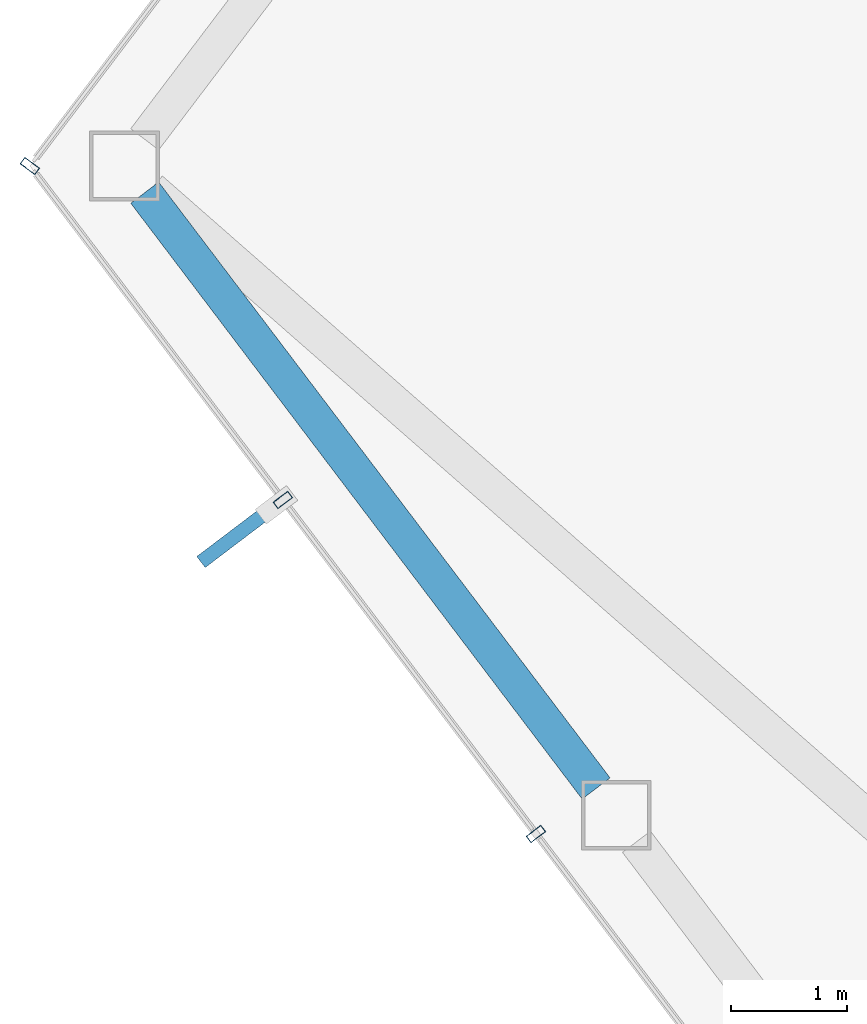
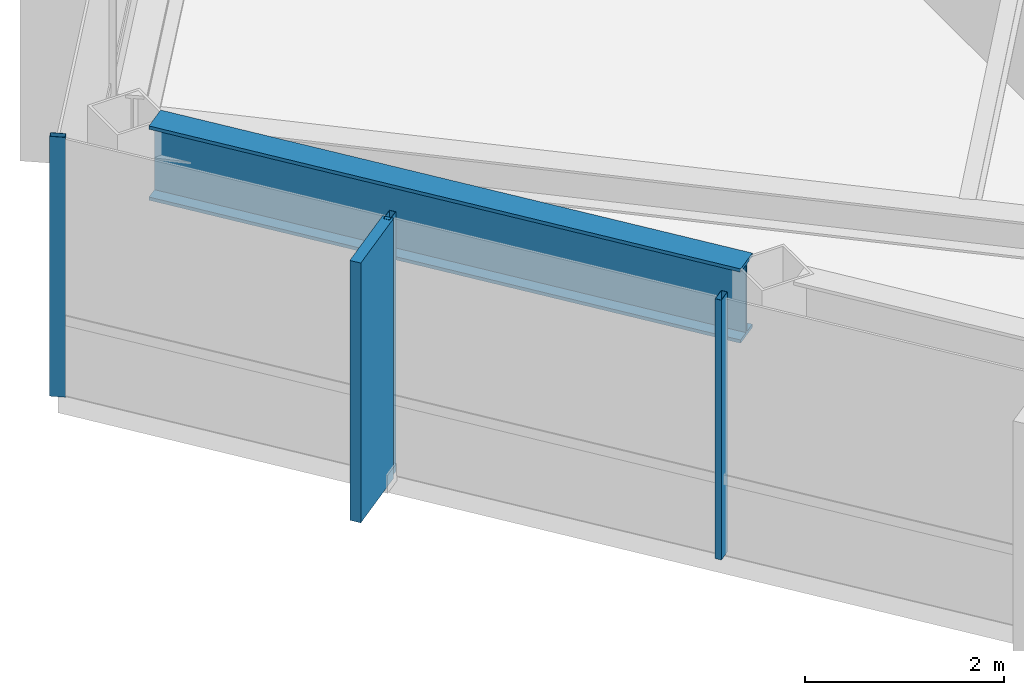
# One storey, part 8 of 25: 4 members, 1 beam, 2 elements without a shape of their own.
"""IFC4 building model written with IfcOpenShell, lengths in metres."""

from ifc_helpers import new_model, si_unit, direction, frame, origin, origin_2d, place, context, subcontext, project, spatial, rectangle, hollow_rectangle, i_section, extrude, material, layer, layer_set, material_profile, profile_set, type_object, element, aggregate, save


model = new_model("IFC4")

# Units and contexts
model_context = context("Model", 3, precision=1e-05, world=origin(), true_north=direction((0.0, 1.0)))
body_context = subcontext(model_context, "Body", "Model", "MODEL_VIEW")
ifc_project = project(units=[si_unit("LENGTHUNIT", "METRE"), si_unit("AREAUNIT", "SQUARE_METRE"), si_unit("VOLUMEUNIT", "CUBIC_METRE"), si_unit("PLANEANGLEUNIT", "RADIAN"), si_unit("MASSUNIT", "GRAM", prefix="KILO")], contexts=[model_context])

# Site, building, storey
site_placement = place(None, origin())
site = spatial("IfcSite", under=ifc_project, at=site_placement, CompositionType="ELEMENT")
building_placement = place(site_placement, origin())
building = spatial("IfcBuilding", under=site, at=building_placement, Name="Zarrinselat Tower", CompositionType="ELEMENT")
storey_placement = place(building_placement, frame((0.0, 0.0, 242.760009765625)))
storey = spatial("IfcBuildingStorey", under=building, at=storey_placement, Name="L61", CompositionType="ELEMENT", Elevation=242.760009765625)

# Beam
ifc_material_1 = material(Name="Steel S460M", Category="steel")
ifc_material_profile_1 = material_profile(ifc_material_1, i_section(OverallWidth=0.302001953125, OverallDepth=0.909912109375, WebThickness=0.02099609375, FlangeThickness=0.0400390625, at=origin_2d()), Name="HEM 900")
ifc_profile_set_1 = profile_set([ifc_material_profile_1], Name="Steel S460M")
beam_type = type_object("IfcBeamType", Name="BM-HEM900", PredefinedType="BEAM", material=ifc_profile_set_1)
beam_placement = place(storey_placement, frame((16.4970703125, 41.34619140625, 2.72509765625), z_axis=(0.603870099969, -0.797082744992, 0.0), x_axis=(0.797082744992, 0.603870099969, 0.0)))
element("IfcBeam", 1, at=beam_placement, inside=storey, type_object=beam_type, Name="L61 Perimeter Spandrel Girder SP06", PredefinedType="BEAM", context=body_context, shape_type="SweptSolid", body=[
    extrude(i_section(OverallWidth=0.302001953125, OverallDepth=0.909912109375, WebThickness=0.02099609375, FlangeThickness=0.0400390625, at=origin_2d()), origin(), (0.0, 0.0, 1.0), 6.43798828125),
])

# Curtain wall, member
ifc_material_2 = material(Name="Extruded Aluminium Alloy EN AW-6063 T6", Category="aluminium")
ifc_layer = layer(ifc_material_2, 0.169921875)
ifc_layer_set = layer_set([ifc_layer], Name="Extruded Aluminium Alloy EN AW-6063 T6")
curtain_wall_type = type_object("IfcCurtainWallType", Name="CWS-RES", PredefinedType="NOTDEFINED", material=ifc_layer_set)
curtain_wall_1_placement = place(storey_placement, origin())
curtain_wall_1 = element("IfcCurtainWall", 2, at=curtain_wall_1_placement, inside=storey, type_object=curtain_wall_type, Name="L61 Unitised Curtain Wall CW-L61-E02", PredefinedType="NOTDEFINED")
ifc_material_3 = material(Name="Extruded Aluminium Alloy EN AW-6063 T6", Category="aluminium")
ifc_material_profile_2 = material_profile(ifc_material_3, hollow_rectangle(XDim=0.070068359375, YDim=0.159912109375, WallThickness=0.00390625, at=origin_2d()), Name="RHS 160x70x4")
ifc_profile_set_2 = profile_set([ifc_material_profile_2], Name="Extruded Aluminium Alloy EN AW-6063 T6")
member_type_1 = type_object("IfcMemberType", Name="MEM-CW-MUL2", PredefinedType="MULLION", material=ifc_profile_set_2)
member_1_placement = place(storey_placement, frame((15.5078125, 41.57568359375, 0.0), z_axis=(0.0, 0.0, 1.0), x_axis=(-0.603859107785, -0.797091072554, 0.0)))
member_1 = element("IfcMember", 3, at=member_1_placement, type_object=member_type_1, Name="CW-L61-E02 Mullion 2", PredefinedType="MULLION", context=body_context, shape_type="SweptSolid", body=[
    extrude(hollow_rectangle(XDim=0.070068359375, YDim=0.159912109375, WallThickness=0.00390625, at=origin_2d()), origin(), (0.0, 0.0, 1.0), 3.179931640625),
])
aggregate(curtain_wall_1, [member_1])

# Curtain wall, members
curtain_wall_2_placement = place(storey_placement, origin())
curtain_wall_2 = element("IfcCurtainWall", 4, at=curtain_wall_2_placement, inside=storey, type_object=curtain_wall_type, Name="L61 Unitised Curtain Wall CW-L61-E03", PredefinedType="NOTDEFINED")
member_2_placement = place(storey_placement, frame((17.68701171875, 38.69921875, 0.0), z_axis=(0.0, 0.0, 1.0), x_axis=(0.603857888062, -0.797091996588, 0.0)))
member_2 = element("IfcMember", 5, at=member_2_placement, type_object=member_type_1, Name="CW-L61-E03 Mullion 1", PredefinedType="MULLION", context=body_context, shape_type="SweptSolid", body=[
    extrude(hollow_rectangle(XDim=0.070068359375, YDim=0.159912109375, WallThickness=0.00390625, at=origin_2d()), origin(), (0.0, 0.0, 1.0), 3.179931640625),
])
member_3_placement = place(storey_placement, frame((19.8662109375, 35.822509765625, 0.0), z_axis=(0.0, 0.0, 1.0), x_axis=(0.603857888062, -0.797091996588, 0.0)))
member_3 = element("IfcMember", 6, at=member_3_placement, type_object=member_type_1, Name="CW-L61-E03 Mullion 2", PredefinedType="MULLION", context=body_context, shape_type="SweptSolid", body=[
    extrude(hollow_rectangle(XDim=0.070068359375, YDim=0.159912109375, WallThickness=0.00390625, at=origin_2d()), origin(), (0.0, 0.0, 1.0), 3.179931640625),
])
ifc_material_4 = material(Name="Honed Cream Travertine Stone", Category="masonry")
ifc_material_profile_3 = material_profile(ifc_material_4, rectangle(XDim=0.1201171875, YDim=0.85009765625, at=origin_2d()), Name="FIN 850x120")
ifc_profile_set_3 = profile_set([ifc_material_profile_3], Name="Honed Cream Travertine Stone")
member_type_2 = type_object("IfcMemberType", Name="MEM-STONE-FIN", PredefinedType="USERDEFINED", material=ifc_profile_set_3)
member_4_placement = place(storey_placement, frame((17.3203125, 38.42138671875, 0.0), z_axis=(0.0, 0.0, 1.0), x_axis=(-0.603857888062, 0.797091996588, 0.0)))
member_4 = element("IfcMember", 7, at=member_4_placement, type_object=member_type_2, Name="L61 Stone Shading Fin CW-L61-E03-01", ObjectType="FIN", PredefinedType="USERDEFINED", context=body_context, shape_type="SweptSolid", body=[
    extrude(rectangle(XDim=0.1201171875, YDim=0.85009765625, at=origin_2d()), origin(), (0.0, 0.0, 1.0), 3.179931640625),
])
aggregate(curtain_wall_2, [member_2, member_4, member_3])

save(model, "model.ifc")
